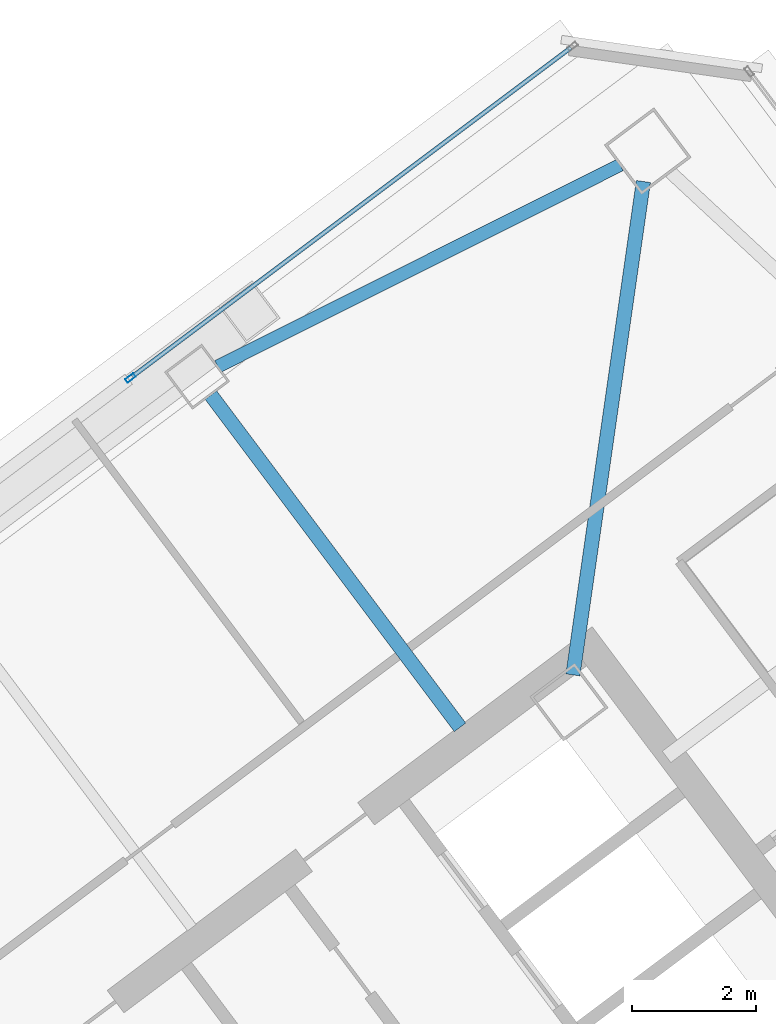
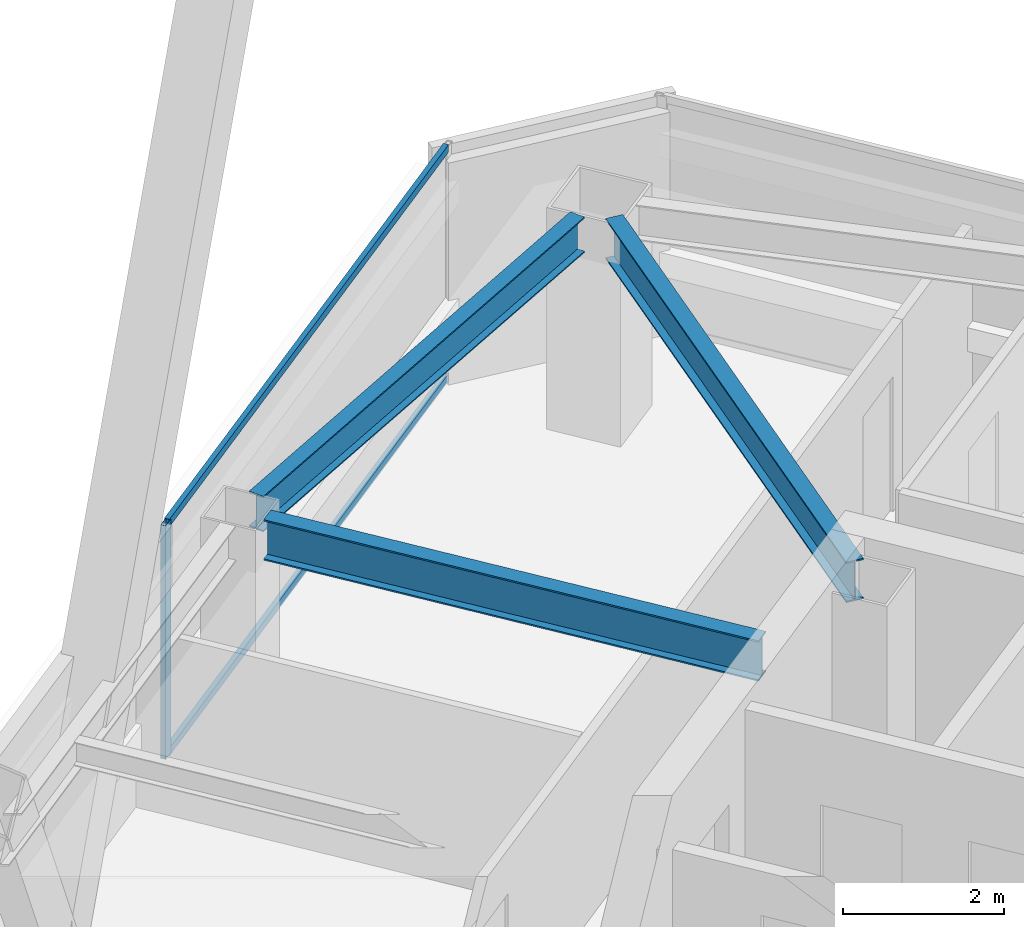
# One storey, part 32 of 47: 3 beams, 3 members, 1 element without a shape of its own.
"""IFC4 building model written with IfcOpenShell, lengths in metres."""

from ifc_helpers import new_model, si_unit, direction, frame, origin, origin_2d, place, context, subcontext, project, spatial, hollow_rectangle, i_section, extrude, material, material_profile, profile_set, type_object, element, aggregate, save


model = new_model("IFC4")

# Units and contexts
model_context = context("Model", 3, precision=1e-05, world=origin(), true_north=direction((0.0, 1.0)))
body_context = subcontext(model_context, "Body", "Model", "MODEL_VIEW")
ifc_project = project(units=[si_unit("LENGTHUNIT", "METRE"), si_unit("AREAUNIT", "SQUARE_METRE"), si_unit("VOLUMEUNIT", "CUBIC_METRE"), si_unit("PLANEANGLEUNIT", "RADIAN"), si_unit("MASSUNIT", "GRAM", prefix="KILO")], contexts=[model_context])

# Site, building, storey
site_placement = place(None, origin())
site = spatial("IfcSite", under=ifc_project, at=site_placement, CompositionType="ELEMENT")
building_placement = place(site_placement, origin())
building = spatial("IfcBuilding", under=site, at=building_placement, Name="Tashvorn Skyway Center", CompositionType="ELEMENT")
storey_placement = place(building_placement, frame((0.0, 0.0, 204.199951171875)))
storey = spatial("IfcBuildingStorey", under=building, at=storey_placement, Name="L55", CompositionType="ELEMENT", Elevation=204.199951171875)

# Beams
ifc_material_1 = material(Name="Steel ASTM A992 Grade 50", Category="steel")
ifc_material_profile_1 = material_profile(ifc_material_1, i_section(OverallWidth=0.22998046875, OverallDepth=0.616943359375, WebThickness=0.01318359375, FlangeThickness=0.022216796875, at=origin_2d()), Name="W24X94")
ifc_profile_set_1 = profile_set([ifc_material_profile_1], Name="Steel ASTM A992 Grade 50")
beam_type_1 = type_object("IfcBeamType", Name="BM-BEAM-W24X94", PredefinedType="BEAM", material=ifc_profile_set_1)
beam_1_placement = place(storey_placement, frame((116.610107421875, 50.27001953125, 3.0615234375), z_axis=(-0.141438360399, -0.989947064346, 0.0), x_axis=(0.989947064346, -0.141438360399, 0.0)))
element("IfcBeam", 1, at=beam_1_placement, inside=storey, type_object=beam_type_1, Name="Tower 2 L55 Primary Floor Girder MC-NE", PredefinedType="BEAM", context=body_context, shape_type="SweptSolid", body=[
    extrude(i_section(OverallWidth=0.22998046875, OverallDepth=0.616943359375, WebThickness=0.01318359375, FlangeThickness=0.022216796875, at=origin_2d()), origin(), (0.0, 0.0, 1.0), 8.040283203125),
])
beam_2_placement = place(storey_placement, frame((109.632080078125, 46.823974609375, 3.0615234375), z_axis=(0.600011660554, -0.799991254452, 0.0), x_axis=(0.799991254452, 0.600011660554, 0.0)))
element("IfcBeam", 2, at=beam_2_placement, inside=storey, type_object=beam_type_1, Name="Tower 2 L55 Primary Floor Girder FC-N1", PredefinedType="BEAM", context=body_context, shape_type="SweptSolid", body=[
    extrude(i_section(OverallWidth=0.22998046875, OverallDepth=0.616943359375, WebThickness=0.01318359375, FlangeThickness=0.022216796875, at=origin_2d()), origin(), (0.0, 0.0, 1.0), 6.699951171875),
])
ifc_material_profile_2 = material_profile(ifc_material_1, i_section(OverallWidth=0.2109375, OverallDepth=0.5390625, WebThickness=0.01171875, FlangeThickness=0.018798828125, at=origin_2d()), Name="W21X73")
ifc_profile_set_2 = profile_set([ifc_material_profile_2], Name="Steel ASTM A992 Grade 50")
beam_type_2 = type_object("IfcBeamType", Name="BM-SPANDREL-W21X73", PredefinedType="SPANDREL", material=ifc_profile_set_2)
beam_3_placement = place(storey_placement, frame((116.2373046875, 50.538330078125, 3.1005859375), z_axis=(-0.894178380472, -0.447710870872, 0.0), x_axis=(0.447710870872, -0.894178380472, 0.0)))
element("IfcBeam", 3, at=beam_3_placement, inside=storey, type_object=beam_type_2, Name="Tower 2 L55 Spandrel Beam 07", PredefinedType="SPANDREL", context=body_context, shape_type="SweptSolid", body=[
    extrude(i_section(OverallWidth=0.2109375, OverallDepth=0.5390625, WebThickness=0.01171875, FlangeThickness=0.018798828125, at=origin_2d()), origin(), (0.0, 0.0, 1.0), 7.26513671875),
])

# Curtain wall, members
ifc_material_2 = material(Name="Thermally broken bronze-anodized aluminium 6063-T6", Category="aluminium")
curtain_wall_type = type_object("IfcCurtainWallType", Name="CW-CW-Z5", PredefinedType="NOTDEFINED", material=ifc_material_2)
curtain_wall_placement = place(storey_placement, origin())
curtain_wall = element("IfcCurtainWall", 4, at=curtain_wall_placement, inside=storey, type_object=curtain_wall_type, Name="Tower 2 L55 North Unitised Curtain Wall Glazing Group 2", PredefinedType="NOTDEFINED")
ifc_material_profile_3 = material_profile(ifc_material_2, hollow_rectangle(XDim=0.070068359375, YDim=0.1650390625, WallThickness=0.00390625, at=origin_2d()), Name="ALU-MULL-70x165")
ifc_profile_set_3 = profile_set([ifc_material_profile_3], Name="Thermally broken bronze-anodized aluminium 6063-T6")
member_type_1 = type_object("IfcMemberType", Name="CWM-CW-Z5", PredefinedType="MULLION", material=ifc_profile_set_3)
member_1_placement = place(storey_placement, frame((108.334716796875, 47.10107421875, 0.0), z_axis=(0.0, 0.0, 1.0), x_axis=(-0.600001780418, 0.799998664683, 0.0)))
member_1 = element("IfcMember", 5, at=member_1_placement, type_object=member_type_1, Name="CW-Z5 mullion 1", PredefinedType="MULLION", context=body_context, shape_type="SweptSolid", body=[
    extrude(hollow_rectangle(XDim=0.070068359375, YDim=0.1650390625, WallThickness=0.00390625, at=origin_2d()), origin(), (0.0, 0.0, 1.0), 3.550048828125),
])
ifc_material_profile_4 = material_profile(ifc_material_2, hollow_rectangle(XDim=0.070068359375, YDim=0.114990234375, WallThickness=0.00390625, at=origin_2d()), Name="ALU-TRAN-70x115")
ifc_profile_set_4 = profile_set([ifc_material_profile_4], Name="Thermally broken bronze-anodized aluminium 6063-T6")
member_type_2 = type_object("IfcMemberType", Name="CWT-CW-Z5", PredefinedType="USERDEFINED", material=ifc_profile_set_4)
member_2_placement = place(storey_placement, frame((108.36279296875, 47.1220703125, 0.03515625), z_axis=(0.8, 0.6, 0.0), x_axis=(-0.6, 0.8, 0.0)))
member_2 = element("IfcMember", 6, at=member_2_placement, type_object=member_type_2, Name="CW-Z5 transom 1.1", ObjectType="TRANSOM", PredefinedType="USERDEFINED", context=body_context, shape_type="SweptSolid", body=[
    extrude(hollow_rectangle(XDim=0.070068359375, YDim=0.114990234375, WallThickness=0.00390625, at=origin_2d()), origin(), (0.0, 0.0, 1.0), 8.846435546875),
])
member_3_placement = place(storey_placement, frame((108.36279296875, 47.1220703125, 3.51513671875), z_axis=(0.8, 0.6, 0.0), x_axis=(-0.6, 0.8, 0.0)))
member_3 = element("IfcMember", 7, at=member_3_placement, type_object=member_type_2, Name="CW-Z5 transom 1.2", ObjectType="TRANSOM", PredefinedType="USERDEFINED", context=body_context, shape_type="SweptSolid", body=[
    extrude(hollow_rectangle(XDim=0.070068359375, YDim=0.114990234375, WallThickness=0.00390625, at=origin_2d()), origin(), (0.0, 0.0, 1.0), 8.846435546875),
])
aggregate(curtain_wall, [member_1, member_2, member_3])

save(model, "model.ifc")
